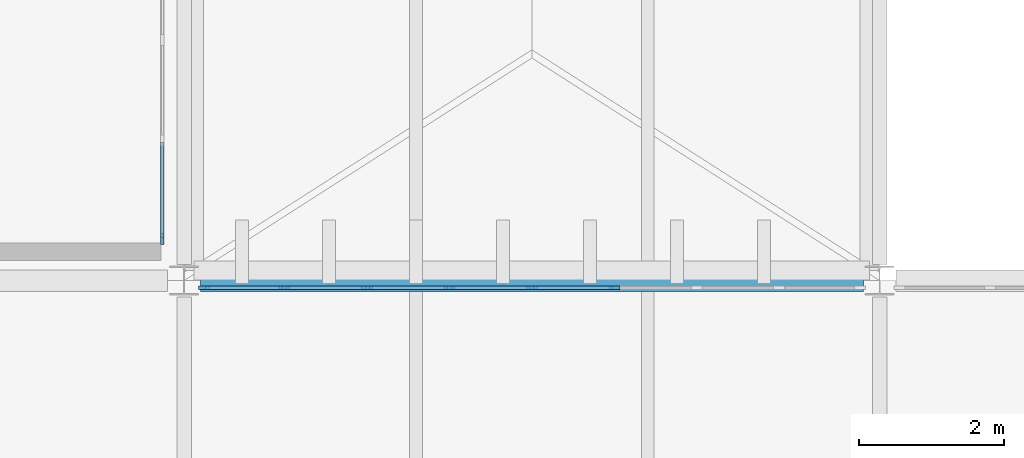
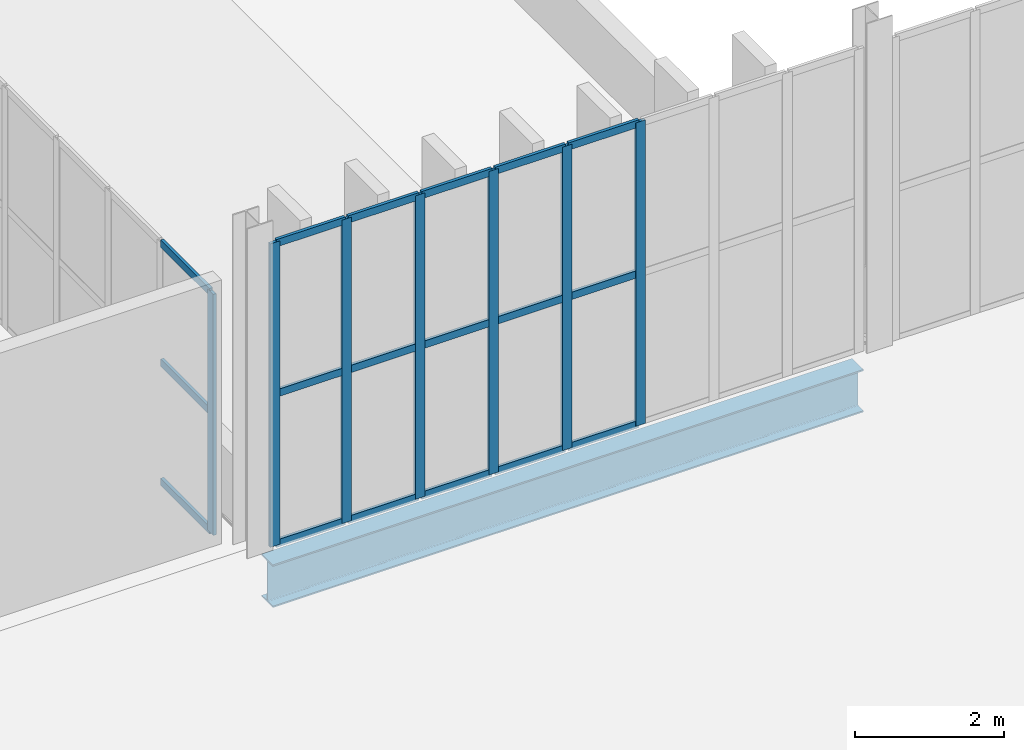
# One storey, part 47 of 112: 25 members, 1 beam, 2 elements without a shape of their own.
"""IFC4 building model written with IfcOpenShell, lengths in metres."""

from ifc_helpers import new_model, si_unit, direction, frame, origin, origin_2d, place, context, subcontext, project, spatial, rectangle, i_section, extrude, material, layer, layer_set, material_profile, profile_set, type_object, element, aggregate, save


model = new_model("IFC4")

# Units and contexts
model_context = context("Model", 3, precision=1e-05, world=origin(), true_north=direction((0.0, 1.0)))
body_context = subcontext(model_context, "Body", "Model", "MODEL_VIEW")
ifc_project = project(units=[si_unit("LENGTHUNIT", "METRE"), si_unit("AREAUNIT", "SQUARE_METRE"), si_unit("VOLUMEUNIT", "CUBIC_METRE"), si_unit("PLANEANGLEUNIT", "RADIAN"), si_unit("MASSUNIT", "GRAM", prefix="KILO")], contexts=[model_context])

# Site, building, storey
site_placement = place(None, origin())
site = spatial("IfcSite", under=ifc_project, at=site_placement, CompositionType="ELEMENT")
building_placement = place(site_placement, origin())
building = spatial("IfcBuilding", under=site, at=building_placement, Name="Yeouljin Market Hall", CompositionType="ELEMENT")
storey_placement = place(building_placement, frame((0.0, 0.0, 6.0)))
storey = spatial("IfcBuildingStorey", under=building, at=storey_placement, Name="L01", CompositionType="ELEMENT", Elevation=6.0)

# Curtain wall, members
ifc_material_1 = material(Name="Thermally Broken Aluminium", Category="aluminium")
ifc_layer_1 = layer(ifc_material_1, 0.159912109375)
ifc_layer_set_1 = layer_set([ifc_layer_1], Name="Thermally Broken Aluminium")
curtain_wall_type_1 = type_object("IfcCurtainWallType", Name="CW_HallClerestory_System", PredefinedType="USERDEFINED", material=ifc_layer_set_1)
curtain_wall_1_placement = place(storey_placement, origin())
curtain_wall_1 = element("IfcCurtainWall", 1, at=curtain_wall_1_placement, inside=storey, type_object=curtain_wall_type_1, Name="Curtain wall CW-V1N-UP-10", ObjectType="CURTAIN WALL", PredefinedType="USERDEFINED")
ifc_material_2 = material(Name="Thermally Broken Aluminium", Category="aluminium")
ifc_material_profile_1 = material_profile(ifc_material_2, rectangle(XDim=0.048095703125, YDim=0.14990234375, at=origin_2d()), Name="CW-MULL-48x150")
ifc_profile_set_1 = profile_set([ifc_material_profile_1], Name="Thermally Broken Aluminium")
member_type_1 = type_object("IfcMemberType", Name="CWMullion_48x150", PredefinedType="MULLION", material=ifc_profile_set_1)
member_1_placement = place(storey_placement, frame((122.073974609375, 77.89990234375, 0.0), z_axis=(0.0, 0.0, 1.0), x_axis=(0.0, 1.0, 0.0)))
member_1 = element("IfcMember", 2, at=member_1_placement, type_object=member_type_1, Name="CW-02 mullion 1", PredefinedType="MULLION", context=body_context, shape_type="SweptSolid", body=[
    extrude(rectangle(XDim=0.048095703125, YDim=0.14990234375, at=origin_2d()), origin(), (0.0, 0.0, 1.0), 4.969970703125),
])
member_2_placement = place(storey_placement, frame((123.1875, 77.89990234375, 0.0), z_axis=(0.0, 0.0, 1.0), x_axis=(0.0, 1.0, 0.0)))
member_2 = element("IfcMember", 3, at=member_2_placement, type_object=member_type_1, Name="CW-02 mullion 2", PredefinedType="MULLION", context=body_context, shape_type="SweptSolid", body=[
    extrude(rectangle(XDim=0.048095703125, YDim=0.14990234375, at=origin_2d()), origin(), (0.0, 0.0, 1.0), 4.969970703125),
])
member_3_placement = place(storey_placement, frame((124.324951171875, 77.89990234375, 0.0), z_axis=(0.0, 0.0, 1.0), x_axis=(0.0, 1.0, 0.0)))
member_3 = element("IfcMember", 4, at=member_3_placement, type_object=member_type_1, Name="CW-02 mullion 3", PredefinedType="MULLION", context=body_context, shape_type="SweptSolid", body=[
    extrude(rectangle(XDim=0.048095703125, YDim=0.14990234375, at=origin_2d()), origin(), (0.0, 0.0, 1.0), 4.969970703125),
])
member_4_placement = place(storey_placement, frame((125.46240234375, 77.89990234375, 0.0), z_axis=(0.0, 0.0, 1.0), x_axis=(0.0, 1.0, 0.0)))
member_4 = element("IfcMember", 5, at=member_4_placement, type_object=member_type_1, Name="CW-02 mullion 4", PredefinedType="MULLION", context=body_context, shape_type="SweptSolid", body=[
    extrude(rectangle(XDim=0.048095703125, YDim=0.14990234375, at=origin_2d()), origin(), (0.0, 0.0, 1.0), 4.969970703125),
])
member_5_placement = place(storey_placement, frame((126.60009765625, 77.89990234375, 0.0), z_axis=(0.0, 0.0, 1.0), x_axis=(0.0, 1.0, 0.0)))
member_5 = element("IfcMember", 6, at=member_5_placement, type_object=member_type_1, Name="CW-02 mullion 5", PredefinedType="MULLION", context=body_context, shape_type="SweptSolid", body=[
    extrude(rectangle(XDim=0.048095703125, YDim=0.14990234375, at=origin_2d()), origin(), (0.0, 0.0, 1.0), 4.969970703125),
])
member_6_placement = place(storey_placement, frame((127.737548828125, 77.89990234375, 0.0), z_axis=(0.0, 0.0, 1.0), x_axis=(0.0, 1.0, 0.0)))
member_6 = element("IfcMember", 7, at=member_6_placement, type_object=member_type_1, Name="CW-02 mullion 6", PredefinedType="MULLION", context=body_context, shape_type="SweptSolid", body=[
    extrude(rectangle(XDim=0.048095703125, YDim=0.14990234375, at=origin_2d()), origin(), (0.0, 0.0, 1.0), 4.969970703125),
])

# Curtain wall, member
ifc_material_3 = material(Name="Thermally Broken Aluminium", Category="aluminium")
ifc_layer_2 = layer(ifc_material_3, 0.14990234375)
ifc_layer_set_2 = layer_set([ifc_layer_2], Name="Thermally Broken Aluminium")
curtain_wall_type_2 = type_object("IfcCurtainWallType", Name="CW_WingStorefront_System", PredefinedType="USERDEFINED", material=ifc_layer_set_2)
curtain_wall_2_placement = place(storey_placement, origin())
curtain_wall_2 = element("IfcCurtainWall", 8, at=curtain_wall_2_placement, inside=storey, type_object=curtain_wall_type_2, Name="Curtain wall CW-CRT-L01-24", ObjectType="CURTAIN WALL", PredefinedType="USERDEFINED")
member_7_placement = place(storey_placement, frame((121.5, 78.573974609375, 0.0), z_axis=(0.0, 0.0, 1.0), x_axis=(1.0, 0.0, 0.0)))
member_7 = element("IfcMember", 9, at=member_7_placement, type_object=member_type_1, Name="CW-04 mullion 8", PredefinedType="MULLION", context=body_context, shape_type="SweptSolid", body=[
    extrude(rectangle(XDim=0.048095703125, YDim=0.14990234375, at=origin_2d()), origin(), (0.0, 0.0, 1.0), 3.949951171875),
])

# Member
ifc_material_4 = material(Name="Thermally Broken Aluminium", Category="aluminium")
ifc_material_profile_2 = material_profile(ifc_material_4, rectangle(XDim=0.048095703125, YDim=0.1201171875, at=origin_2d()), Name="CW-TRAN-48x120")
ifc_profile_set_2 = profile_set([ifc_material_profile_2], Name="Thermally Broken Aluminium")
member_type_2 = type_object("IfcMemberType", Name="CWTransom_48x120", PredefinedType="USERDEFINED", material=ifc_profile_set_2)
member_8_placement = place(storey_placement, frame((122.097900390625, 77.89990234375, 0.02392578125), z_axis=(1.0, 0.0, 0.0), x_axis=(0.0, 1.0, 0.0)))
member_8 = element("IfcMember", 10, at=member_8_placement, type_object=member_type_2, Name="CW-02 transom 1.1", ObjectType="TRANSOM", PredefinedType="USERDEFINED", context=body_context, shape_type="SweptSolid", body=[
    extrude(rectangle(XDim=0.048095703125, YDim=0.1201171875, at=origin_2d()), origin(), (0.0, 0.0, 1.0), 1.065673828125),
])

member_9_placement = place(storey_placement, frame((122.097900390625, 77.89990234375, 2.485107421875), z_axis=(1.0, 0.0, 0.0), x_axis=(0.0, 1.0, 0.0)))
member_9 = element("IfcMember", 11, at=member_9_placement, type_object=member_type_2, Name="CW-02 transom 1.2", ObjectType="TRANSOM", PredefinedType="USERDEFINED", context=body_context, shape_type="SweptSolid", body=[
    extrude(rectangle(XDim=0.048095703125, YDim=0.1201171875, at=origin_2d()), origin(), (0.0, 0.0, 1.0), 1.065673828125),
])

member_10_placement = place(storey_placement, frame((122.097900390625, 77.89990234375, 4.946044921875), z_axis=(1.0, 0.0, 0.0), x_axis=(0.0, 1.0, 0.0)))
member_10 = element("IfcMember", 12, at=member_10_placement, type_object=member_type_2, Name="CW-02 transom 1.3", ObjectType="TRANSOM", PredefinedType="USERDEFINED", context=body_context, shape_type="SweptSolid", body=[
    extrude(rectangle(XDim=0.048095703125, YDim=0.1201171875, at=origin_2d()), origin(), (0.0, 0.0, 1.0), 1.065673828125),
])

member_11_placement = place(storey_placement, frame((123.21142578125, 77.89990234375, 0.02392578125), z_axis=(1.0, 0.0, 0.0), x_axis=(0.0, 1.0, 0.0)))
member_11 = element("IfcMember", 13, at=member_11_placement, type_object=member_type_2, Name="CW-02 transom 2.1", ObjectType="TRANSOM", PredefinedType="USERDEFINED", context=body_context, shape_type="SweptSolid", body=[
    extrude(rectangle(XDim=0.048095703125, YDim=0.1201171875, at=origin_2d()), origin(), (0.0, 0.0, 1.0), 1.089599609375),
])

member_12_placement = place(storey_placement, frame((123.21142578125, 77.89990234375, 2.485107421875), z_axis=(1.0, 0.0, 0.0), x_axis=(0.0, 1.0, 0.0)))
member_12 = element("IfcMember", 14, at=member_12_placement, type_object=member_type_2, Name="CW-02 transom 2.2", ObjectType="TRANSOM", PredefinedType="USERDEFINED", context=body_context, shape_type="SweptSolid", body=[
    extrude(rectangle(XDim=0.048095703125, YDim=0.1201171875, at=origin_2d()), origin(), (0.0, 0.0, 1.0), 1.089599609375),
])

member_13_placement = place(storey_placement, frame((123.21142578125, 77.89990234375, 4.946044921875), z_axis=(1.0, 0.0, 0.0), x_axis=(0.0, 1.0, 0.0)))
member_13 = element("IfcMember", 15, at=member_13_placement, type_object=member_type_2, Name="CW-02 transom 2.3", ObjectType="TRANSOM", PredefinedType="USERDEFINED", context=body_context, shape_type="SweptSolid", body=[
    extrude(rectangle(XDim=0.048095703125, YDim=0.1201171875, at=origin_2d()), origin(), (0.0, 0.0, 1.0), 1.089599609375),
])

member_14_placement = place(storey_placement, frame((124.34912109375, 77.89990234375, 0.02392578125), z_axis=(1.0, 0.0, 0.0), x_axis=(0.0, 1.0, 0.0)))
member_14 = element("IfcMember", 16, at=member_14_placement, type_object=member_type_2, Name="CW-02 transom 3.1", ObjectType="TRANSOM", PredefinedType="USERDEFINED", context=body_context, shape_type="SweptSolid", body=[
    extrude(rectangle(XDim=0.048095703125, YDim=0.1201171875, at=origin_2d()), origin(), (0.0, 0.0, 1.0), 1.08935546875),
])

member_15_placement = place(storey_placement, frame((124.34912109375, 77.89990234375, 2.485107421875), z_axis=(1.0, 0.0, 0.0), x_axis=(0.0, 1.0, 0.0)))
member_15 = element("IfcMember", 17, at=member_15_placement, type_object=member_type_2, Name="CW-02 transom 3.2", ObjectType="TRANSOM", PredefinedType="USERDEFINED", context=body_context, shape_type="SweptSolid", body=[
    extrude(rectangle(XDim=0.048095703125, YDim=0.1201171875, at=origin_2d()), origin(), (0.0, 0.0, 1.0), 1.08935546875),
])

member_16_placement = place(storey_placement, frame((124.34912109375, 77.89990234375, 4.946044921875), z_axis=(1.0, 0.0, 0.0), x_axis=(0.0, 1.0, 0.0)))
member_16 = element("IfcMember", 18, at=member_16_placement, type_object=member_type_2, Name="CW-02 transom 3.3", ObjectType="TRANSOM", PredefinedType="USERDEFINED", context=body_context, shape_type="SweptSolid", body=[
    extrude(rectangle(XDim=0.048095703125, YDim=0.1201171875, at=origin_2d()), origin(), (0.0, 0.0, 1.0), 1.08935546875),
])

member_17_placement = place(storey_placement, frame((125.486572265625, 77.89990234375, 0.02392578125), z_axis=(1.0, 0.0, 0.0), x_axis=(0.0, 1.0, 0.0)))
member_17 = element("IfcMember", 19, at=member_17_placement, type_object=member_type_2, Name="CW-02 transom 4.1", ObjectType="TRANSOM", PredefinedType="USERDEFINED", context=body_context, shape_type="SweptSolid", body=[
    extrude(rectangle(XDim=0.048095703125, YDim=0.1201171875, at=origin_2d()), origin(), (0.0, 0.0, 1.0), 1.08935546875),
])

member_18_placement = place(storey_placement, frame((125.486572265625, 77.89990234375, 2.485107421875), z_axis=(1.0, 0.0, 0.0), x_axis=(0.0, 1.0, 0.0)))
member_18 = element("IfcMember", 20, at=member_18_placement, type_object=member_type_2, Name="CW-02 transom 4.2", ObjectType="TRANSOM", PredefinedType="USERDEFINED", context=body_context, shape_type="SweptSolid", body=[
    extrude(rectangle(XDim=0.048095703125, YDim=0.1201171875, at=origin_2d()), origin(), (0.0, 0.0, 1.0), 1.08935546875),
])

member_19_placement = place(storey_placement, frame((125.486572265625, 77.89990234375, 4.946044921875), z_axis=(1.0, 0.0, 0.0), x_axis=(0.0, 1.0, 0.0)))
member_19 = element("IfcMember", 21, at=member_19_placement, type_object=member_type_2, Name="CW-02 transom 4.3", ObjectType="TRANSOM", PredefinedType="USERDEFINED", context=body_context, shape_type="SweptSolid", body=[
    extrude(rectangle(XDim=0.048095703125, YDim=0.1201171875, at=origin_2d()), origin(), (0.0, 0.0, 1.0), 1.08935546875),
])

member_20_placement = place(storey_placement, frame((126.6240234375, 77.89990234375, 0.02392578125), z_axis=(1.0, 0.0, 0.0), x_axis=(0.0, 1.0, 0.0)))
member_20 = element("IfcMember", 22, at=member_20_placement, type_object=member_type_2, Name="CW-02 transom 5.1", ObjectType="TRANSOM", PredefinedType="USERDEFINED", context=body_context, shape_type="SweptSolid", body=[
    extrude(rectangle(XDim=0.048095703125, YDim=0.1201171875, at=origin_2d()), origin(), (0.0, 0.0, 1.0), 1.08935546875),
])

member_21_placement = place(storey_placement, frame((126.6240234375, 77.89990234375, 2.485107421875), z_axis=(1.0, 0.0, 0.0), x_axis=(0.0, 1.0, 0.0)))
member_21 = element("IfcMember", 23, at=member_21_placement, type_object=member_type_2, Name="CW-02 transom 5.2", ObjectType="TRANSOM", PredefinedType="USERDEFINED", context=body_context, shape_type="SweptSolid", body=[
    extrude(rectangle(XDim=0.048095703125, YDim=0.1201171875, at=origin_2d()), origin(), (0.0, 0.0, 1.0), 1.08935546875),
])

member_22_placement = place(storey_placement, frame((126.6240234375, 77.89990234375, 4.946044921875), z_axis=(1.0, 0.0, 0.0), x_axis=(0.0, 1.0, 0.0)))
member_22 = element("IfcMember", 24, at=member_22_placement, type_object=member_type_2, Name="CW-02 transom 5.3", ObjectType="TRANSOM", PredefinedType="USERDEFINED", context=body_context, shape_type="SweptSolid", body=[
    extrude(rectangle(XDim=0.048095703125, YDim=0.1201171875, at=origin_2d()), origin(), (0.0, 0.0, 1.0), 1.08935546875),
])

aggregate(curtain_wall_1, [member_1, member_2, member_3, member_4, member_5, member_6, member_8, member_9, member_10, member_11, member_12, member_13, member_14, member_15, member_16, member_17, member_18, member_19, member_20, member_21, member_22])

member_23_placement = place(storey_placement, frame((121.5, 79.91162109375, 0.02392578125), z_axis=(0.0, -1.0, 0.0), x_axis=(1.0, 0.0, 0.0)))
member_23 = element("IfcMember", 25, at=member_23_placement, type_object=member_type_2, Name="CW-04 transom 7.1", ObjectType="TRANSOM", PredefinedType="USERDEFINED", context=body_context, shape_type="SweptSolid", body=[
    extrude(rectangle(XDim=0.048095703125, YDim=0.1201171875, at=origin_2d()), origin(), (0.0, 0.0, 1.0), 1.313720703125),
])

member_24_placement = place(storey_placement, frame((121.5, 79.91162109375, 1.97509765625), z_axis=(0.0, -1.0, 0.0), x_axis=(1.0, 0.0, 0.0)))
member_24 = element("IfcMember", 26, at=member_24_placement, type_object=member_type_2, Name="CW-04 transom 7.2", ObjectType="TRANSOM", PredefinedType="USERDEFINED", context=body_context, shape_type="SweptSolid", body=[
    extrude(rectangle(XDim=0.048095703125, YDim=0.1201171875, at=origin_2d()), origin(), (0.0, 0.0, 1.0), 1.313720703125),
])

member_25_placement = place(storey_placement, frame((121.5, 79.91162109375, 3.926025390625), z_axis=(0.0, -1.0, 0.0), x_axis=(1.0, 0.0, 0.0)))
member_25 = element("IfcMember", 27, at=member_25_placement, type_object=member_type_2, Name="CW-04 transom 7.3", ObjectType="TRANSOM", PredefinedType="USERDEFINED", context=body_context, shape_type="SweptSolid", body=[
    extrude(rectangle(XDim=0.048095703125, YDim=0.1201171875, at=origin_2d()), origin(), (0.0, 0.0, 1.0), 1.313720703125),
])

aggregate(curtain_wall_2, [member_7, member_23, member_24, member_25])

# Beam
ifc_material_5 = material(Name="Steel SM355", Category="steel")
ifc_material_profile_3 = material_profile(ifc_material_5, i_section(OverallWidth=0.300048828125, OverallDepth=0.699951171875, WebThickness=0.012939453125, FlangeThickness=0.02392578125, FilletRadius=0.02587890625, at=origin_2d()), Name="H-700x300x13x24")
ifc_profile_set_3 = profile_set([ifc_material_profile_3], Name="Steel SM355")
beam_type = type_object("IfcBeamType", Name="Girder_H-700x300x13x24", PredefinedType="USERDEFINED", material=ifc_profile_set_3)
beam_placement = place(storey_placement, frame((122.02490234375, 78.0, -0.6298828125), z_axis=(1.0, 0.0, 0.0), x_axis=(0.0, 1.0, 0.0)))
element("IfcBeam", 28, at=beam_placement, inside=storey, type_object=beam_type, Name="Primary girder GRD-L01-X090", ObjectType="GIRDER", PredefinedType="USERDEFINED", context=body_context, shape_type="SweptSolid", body=[
    extrude(i_section(OverallWidth=0.300048828125, OverallDepth=0.699951171875, WebThickness=0.012939453125, FlangeThickness=0.02392578125, FilletRadius=0.02587890625, at=origin_2d()), origin(), (0.0, 0.0, 1.0), 9.150146484375),
])

save(model, "model.ifc")
